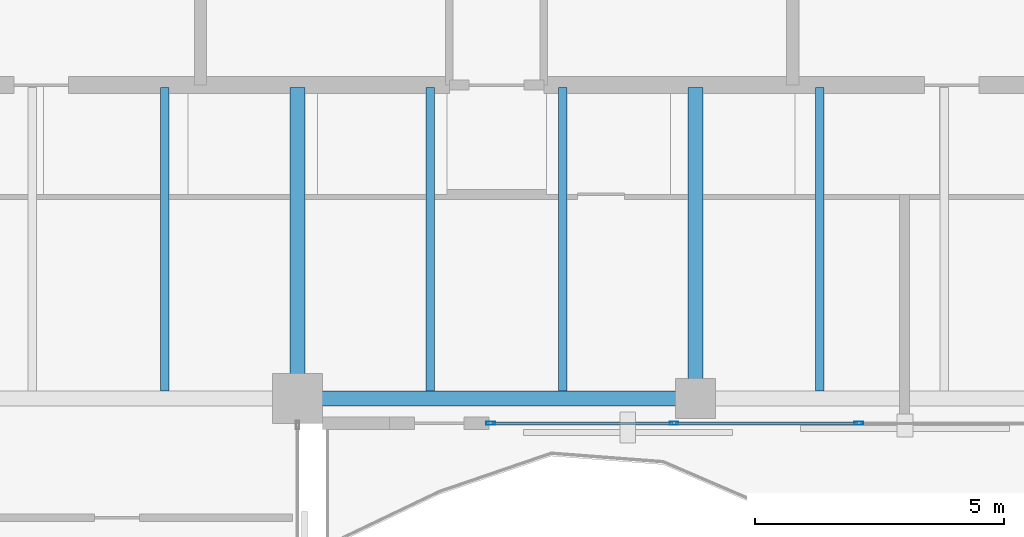
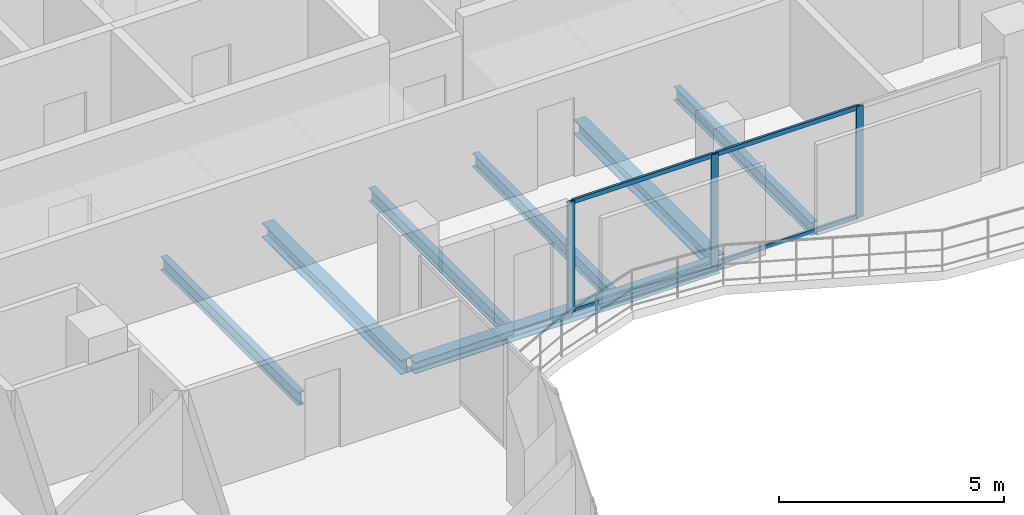
# One storey, part 11 of 23: 7 beams, 7 members, 1 element without a shape of its own.
"""IFC4 building model written with IfcOpenShell, lengths in metres."""

from ifc_helpers import new_model, si_unit, direction, frame, origin, origin_2d, place, context, subcontext, project, spatial, hollow_rectangle, i_section, extrude, material, layer, layer_set, material_profile, profile_set, type_object, element, aggregate, save


model = new_model("IFC4")

# Units and contexts
model_context = context("Model", 3, precision=1e-05, world=origin(), true_north=direction((0.0, 1.0)))
body_context = subcontext(model_context, "Body", "Model", "MODEL_VIEW")
ifc_project = project(units=[si_unit("LENGTHUNIT", "METRE"), si_unit("AREAUNIT", "SQUARE_METRE"), si_unit("VOLUMEUNIT", "CUBIC_METRE"), si_unit("PLANEANGLEUNIT", "RADIAN"), si_unit("MASSUNIT", "GRAM", prefix="KILO")], contexts=[model_context])

# Site, building, storey
site_placement = place(None, origin())
site = spatial("IfcSite", under=ifc_project, at=site_placement, CompositionType="ELEMENT")
building_placement = place(site_placement, origin())
building = spatial("IfcBuilding", under=site, at=building_placement, Name="Catumbela Crestline Tower", CompositionType="ELEMENT")
storey_placement = place(building_placement, frame((0.0, 0.0, 168.6)))
storey = spatial("IfcBuildingStorey", under=building, at=storey_placement, Name="L43", CompositionType="ELEMENT", Elevation=168.6)

# Beams
ifc_material_1 = material(Name="Structural steel S355J2", Category="steel")
ifc_material_profile_1 = material_profile(ifc_material_1, i_section(OverallWidth=0.3, OverallDepth=0.39, WebThickness=0.011, FlangeThickness=0.019, FilletRadius=0.027, at=origin_2d()), Name="HEA 400")
ifc_profile_set_1 = profile_set([ifc_material_profile_1], Name="Structural steel S355J2")
beam_type_1 = type_object("IfcBeamType", Name="BG-HEA400", PredefinedType="BEAM", material=ifc_profile_set_1)
for number, where, z_axis, x_axis, name in (
    (1, (24.0, 24.58, -0.455), (0.0, 1.0, 0.0), (-1.0, 0.0, 0.0), "L43 Beam BM-L43-SNS18"),
    (2, (32.0, 24.58, -0.455), (0.0, 1.0, 0.0), (-1.0, 0.0, 0.0), "L43 Beam BM-L43-SNS19"),
):
    element("IfcBeam", number, at=place(storey_placement, frame(where, z_axis=z_axis, x_axis=x_axis)), inside=storey, type_object=beam_type_1, Name=name, PredefinedType="BEAM", context=body_context, shape_type="SweptSolid", body=[
        extrude(i_section(OverallWidth=0.3, OverallDepth=0.39, WebThickness=0.011, FlangeThickness=0.019, FilletRadius=0.027, at=origin_2d()), origin(), (0.0, 0.0, 1.0), 6.17),
    ])
ifc_material_profile_2 = material_profile(ifc_material_1, i_section(OverallWidth=0.17, OverallDepth=0.36, WebThickness=0.008, FlangeThickness=0.0127, FilletRadius=0.018, at=origin_2d()), Name="IPE 360")
ifc_profile_set_2 = profile_set([ifc_material_profile_2], Name="Structural steel S355J2")
beam_type_2 = type_object("IfcBeamType", Name="BJ-IPE360", PredefinedType="JOIST", material=ifc_profile_set_2)
for number, where, z_axis, x_axis, name in (
    (3, (21.333, 24.647, -0.44), (0.0, 1.0, 0.0), (-1.0, 0.0, 0.0), "L43 Joist JS-L43-SP27"),
    (4, (26.667, 24.647, -0.44), (0.0, 1.0, 0.0), (-1.0, 0.0, 0.0), "L43 Joist JS-L43-SP28"),
    (5, (29.333, 24.647, -0.44), (0.0, 1.0, 0.0), (-1.0, 0.0, 0.0), "L43 Joist JS-L43-SP29"),
    (6, (34.5, 24.647, -0.44), (0.0, 1.0, 0.0), (-1.0, 0.0, 0.0), "L43 Joist JS-L43-SP30"),
):
    element("IfcBeam", number, at=place(storey_placement, frame(where, z_axis=z_axis, x_axis=x_axis)), inside=storey, type_object=beam_type_2, Name=name, PredefinedType="JOIST", context=body_context, shape_type="SweptSolid", body=[
        extrude(i_section(OverallWidth=0.17, OverallDepth=0.36, WebThickness=0.008, FlangeThickness=0.0127, FilletRadius=0.018, at=origin_2d()), origin(), (0.0, 0.0, 1.0), 6.103),
    ])

# Curtain wall, members
ifc_material_2 = material(Name="Aluminium alloy AW-6060-T66", Category="aluminium")
ifc_layer = layer(ifc_material_2, 0.18, Name="Aluminium alloy AW-6060-T66")
ifc_layer_set = layer_set([ifc_layer], Name="Aluminium alloy AW-6060-T66")
curtain_wall_type = type_object("IfcCurtainWallType", Name="CWU-Z3", PredefinedType="USERDEFINED", material=ifc_layer_set)
curtain_wall_placement = place(storey_placement, origin())
curtain_wall = element("IfcCurtainWall", 7, at=curtain_wall_placement, inside=storey, type_object=curtain_wall_type, Name="L43 Unitised Curtain Wall CW-L43-E3S2", ObjectType="UNITISED", PredefinedType="USERDEFINED")
ifc_material_profile_3 = material_profile(ifc_material_2, hollow_rectangle(XDim=0.065, YDim=0.18, WallThickness=0.004, at=origin_2d()), Name="ALU 180x65x4")
ifc_profile_set_3 = profile_set([ifc_material_profile_3], Name="Aluminium alloy AW-6060-T66")
member_type_1 = type_object("IfcMemberType", Name="MUL-180X65", PredefinedType="MULLION", material=ifc_profile_set_3)
member_1_placement = place(storey_placement, frame((27.8825, 24.0, 0.0), z_axis=(0.0, 0.0, 1.0), x_axis=(0.0, 1.0, 0.0)))
member_1 = element("IfcMember", 8, at=member_1_placement, type_object=member_type_1, Name="CWU-Z3 mullion 1", PredefinedType="MULLION", context=body_context, shape_type="SweptSolid", body=[
    extrude(hollow_rectangle(XDim=0.065, YDim=0.18, WallThickness=0.004, at=origin_2d()), origin(), (0.0, 0.0, 1.0), 3.02),
])
member_2_placement = place(storey_placement, frame((31.5667, 24.0, 0.0), z_axis=(0.0, 0.0, 1.0), x_axis=(0.0, 1.0, 0.0)))
member_2 = element("IfcMember", 9, at=member_2_placement, type_object=member_type_1, Name="CWU-Z3 mullion 2", PredefinedType="MULLION", context=body_context, shape_type="SweptSolid", body=[
    extrude(hollow_rectangle(XDim=0.065, YDim=0.18, WallThickness=0.004, at=origin_2d()), origin(), (0.0, 0.0, 1.0), 3.02),
])
member_3_placement = place(storey_placement, frame((35.2833, 24.0, 0.0), z_axis=(0.0, 0.0, 1.0), x_axis=(0.0, 1.0, 0.0)))
member_3 = element("IfcMember", 10, at=member_3_placement, type_object=member_type_1, Name="CWU-Z3 mullion 3", PredefinedType="MULLION", context=body_context, shape_type="SweptSolid", body=[
    extrude(hollow_rectangle(XDim=0.065, YDim=0.18, WallThickness=0.004, at=origin_2d()), origin(), (0.0, 0.0, 1.0), 3.02),
])

# Beam
ifc_material_profile_4 = material_profile(ifc_material_1, i_section(OverallWidth=0.3, OverallDepth=0.31, WebThickness=0.009, FlangeThickness=0.0155, FilletRadius=0.027, at=origin_2d()), Name="HEA 320")
ifc_profile_set_4 = profile_set([ifc_material_profile_4], Name="Structural steel S355J2")
beam_type_3 = type_object("IfcBeamType", Name="BS-HEA320", PredefinedType="SPANDREL", material=ifc_profile_set_4)
beam_placement = place(storey_placement, frame((24.08, 24.5, -0.415), z_axis=(1.0, 0.0, 0.0), x_axis=(0.0, 1.0, 0.0)))
element("IfcBeam", 11, at=beam_placement, inside=storey, type_object=beam_type_3, Name="L43 Spandrel SP-L43-S04", PredefinedType="SPANDREL", context=body_context, shape_type="SweptSolid", body=[
    extrude(i_section(OverallWidth=0.3, OverallDepth=0.31, WebThickness=0.009, FlangeThickness=0.0155, FilletRadius=0.027, at=origin_2d()), origin(), (0.0, 0.0, 1.0), 7.84),
])

# Member
ifc_material_profile_5 = material_profile(ifc_material_2, hollow_rectangle(XDim=0.06, YDim=0.12, WallThickness=0.0035, at=origin_2d()), Name="ALU 120x60x3.5")
ifc_profile_set_5 = profile_set([ifc_material_profile_5], Name="Aluminium alloy AW-6060-T66")
member_type_2 = type_object("IfcMemberType", Name="TRN-120X60", PredefinedType="USERDEFINED", material=ifc_profile_set_5)
member_4_placement = place(storey_placement, frame((27.915, 24.0, 0.03), z_axis=(1.0, 0.0, 0.0), x_axis=(0.0, 1.0, 0.0)))
member_4 = element("IfcMember", 12, at=member_4_placement, type_object=member_type_2, Name="CWU-Z3 transom 1.1", ObjectType="TRANSOM", PredefinedType="USERDEFINED", context=body_context, shape_type="SweptSolid", body=[
    extrude(hollow_rectangle(XDim=0.06, YDim=0.12, WallThickness=0.0035, at=origin_2d()), origin(), (0.0, 0.0, 1.0), 3.6192),
])

member_5_placement = place(storey_placement, frame((27.915, 24.0, 2.99), z_axis=(1.0, 0.0, 0.0), x_axis=(0.0, 1.0, 0.0)))
member_5 = element("IfcMember", 13, at=member_5_placement, type_object=member_type_2, Name="CWU-Z3 transom 1.2", ObjectType="TRANSOM", PredefinedType="USERDEFINED", context=body_context, shape_type="SweptSolid", body=[
    extrude(hollow_rectangle(XDim=0.06, YDim=0.12, WallThickness=0.0035, at=origin_2d()), origin(), (0.0, 0.0, 1.0), 3.6192),
])

member_6_placement = place(storey_placement, frame((31.5992, 24.0, 0.03), z_axis=(1.0, 0.0, 0.0), x_axis=(0.0, 1.0, 0.0)))
member_6 = element("IfcMember", 14, at=member_6_placement, type_object=member_type_2, Name="CWU-Z3 transom 2.1", ObjectType="TRANSOM", PredefinedType="USERDEFINED", context=body_context, shape_type="SweptSolid", body=[
    extrude(hollow_rectangle(XDim=0.06, YDim=0.12, WallThickness=0.0035, at=origin_2d()), origin(), (0.0, 0.0, 1.0), 3.6516),
])

member_7_placement = place(storey_placement, frame((31.5992, 24.0, 2.99), z_axis=(1.0, 0.0, 0.0), x_axis=(0.0, 1.0, 0.0)))
member_7 = element("IfcMember", 15, at=member_7_placement, type_object=member_type_2, Name="CWU-Z3 transom 2.2", ObjectType="TRANSOM", PredefinedType="USERDEFINED", context=body_context, shape_type="SweptSolid", body=[
    extrude(hollow_rectangle(XDim=0.06, YDim=0.12, WallThickness=0.0035, at=origin_2d()), origin(), (0.0, 0.0, 1.0), 3.6516),
])

aggregate(curtain_wall, [member_1, member_2, member_3, member_4, member_5, member_6, member_7])

save(model, "model.ifc")
